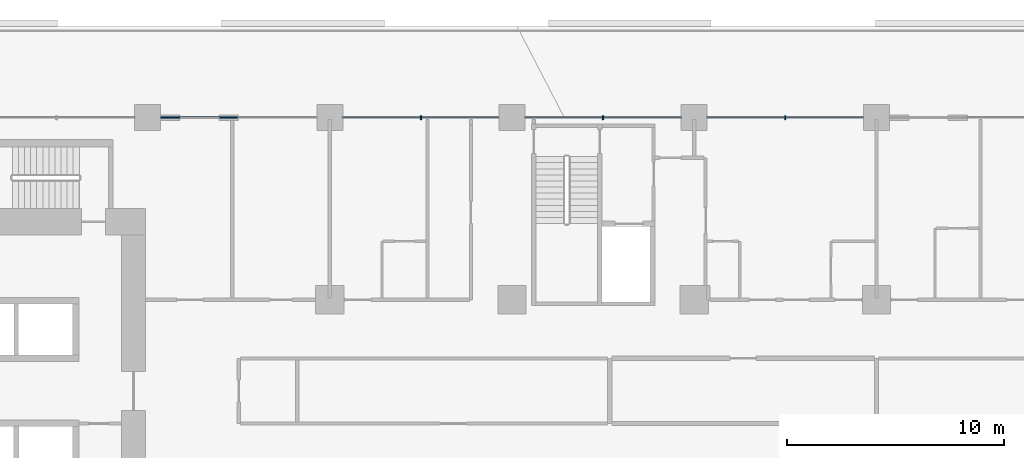
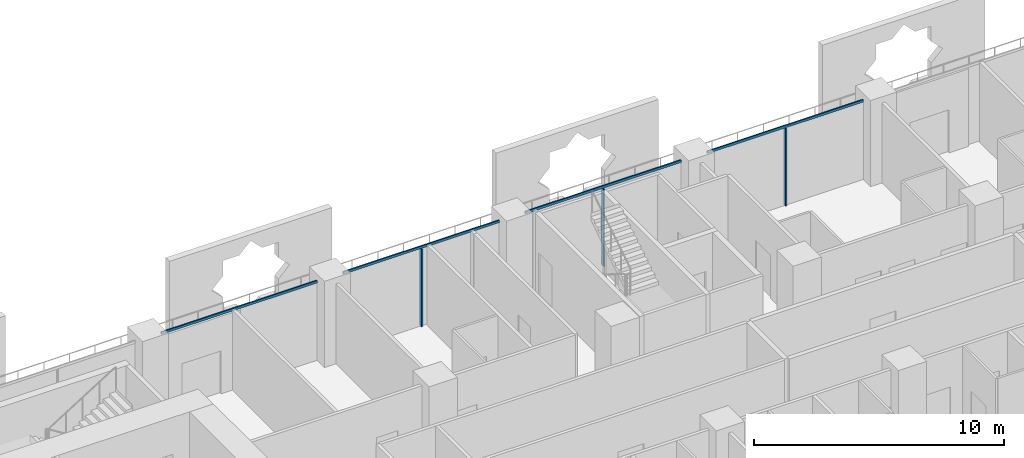
# One storey, part 9 of 26: 7 members, 1 element without a shape of its own.
"""IFC4 building model written with IfcOpenShell, lengths in metres."""

from ifc_helpers import new_model, si_unit, direction, frame, origin, origin_2d, place, context, subcontext, project, spatial, rectangle, extrude, material, layer, layer_set, material_profile, profile_set, type_object, element, aggregate, save


model = new_model("IFC4")

# Units and contexts
model_context = context("Model", 3, precision=1e-05, world=origin(), true_north=direction((0.0, 1.0)))
body_context = subcontext(model_context, "Body", "Model", "MODEL_VIEW")
ifc_project = project(units=[si_unit("LENGTHUNIT", "METRE"), si_unit("AREAUNIT", "SQUARE_METRE"), si_unit("VOLUMEUNIT", "CUBIC_METRE"), si_unit("PLANEANGLEUNIT", "RADIAN"), si_unit("MASSUNIT", "GRAM", prefix="KILO")], contexts=[model_context])

# Site, building, storey
site_placement = place(None, origin())
site = spatial("IfcSite", under=ifc_project, at=site_placement, CompositionType="ELEMENT")
building_placement = place(site_placement, origin())
building = spatial("IfcBuilding", under=site, at=building_placement, Name="Kawkab Arch Medical Tower", CompositionType="ELEMENT")
storey_placement = place(building_placement, frame((0.0, 0.0, 51.800048828125)))
storey = spatial("IfcBuildingStorey", under=building, at=storey_placement, Name="L11", CompositionType="ELEMENT", Elevation=51.800048828125)

# Curtain wall, members
ifc_material_1 = material(Name="Bronze anodised aluminium curtain wall frame", Category="aluminium")
ifc_layer = layer(ifc_material_1, 0.159912109375)
ifc_layer_set = layer_set([ifc_layer], Name="Bronze anodised aluminium curtain wall frame")
curtain_wall_type = type_object("IfcCurtainWallType", Name="CW1 ward curtain wall", PredefinedType="NOTDEFINED", material=ifc_layer_set)
curtain_wall_placement = place(storey_placement, origin())
curtain_wall = element("IfcCurtainWall", 1, at=curtain_wall_placement, inside=storey, type_object=curtain_wall_type, Name="CW1 Ward curtain wall R11", PredefinedType="NOTDEFINED")
ifc_material_2 = material(Name="Bronze anodised aluminium curtain wall frame", Category="aluminium")
ifc_material_profile_1 = material_profile(ifc_material_2, rectangle(XDim=0.179931640625, YDim=0.06005859375, at=origin_2d()), Name="AL 60x180")
ifc_profile_set_1 = profile_set([ifc_material_profile_1], Name="Bronze anodised aluminium curtain wall frame")
member_type_1 = type_object("IfcMemberType", Name="CW1 mullion 60 x 180", PredefinedType="MULLION", material=ifc_profile_set_1)
member_1_placement = place(storey_placement, frame((54.60009765625, 0.0, 0.0), z_axis=(0.0, 0.0, 1.0), x_axis=(0.0, -1.0, 0.0)))
member_1 = element("IfcMember", 2, at=member_1_placement, type_object=member_type_1, Name="CW1 mullion 3.1", PredefinedType="MULLION", context=body_context, shape_type="SweptSolid", body=[
    extrude(rectangle(XDim=0.179931640625, YDim=0.06005859375, at=origin_2d()), origin(), (0.0, 0.0, 1.0), 3.780029296875),
])
member_2_placement = place(storey_placement, frame((46.199951171875, 0.0, 0.0), z_axis=(0.0, 0.0, 1.0), x_axis=(0.0, -1.0, 0.0)))
member_2 = element("IfcMember", 3, at=member_2_placement, type_object=member_type_1, Name="CW1 mullion 4.1", PredefinedType="MULLION", context=body_context, shape_type="SweptSolid", body=[
    extrude(rectangle(XDim=0.179931640625, YDim=0.06005859375, at=origin_2d()), origin(), (0.0, 0.0, 1.0), 3.780029296875),
])
member_3_placement = place(storey_placement, frame((37.800048828125, 0.0, 0.0), z_axis=(0.0, 0.0, 1.0), x_axis=(0.0, -1.0, 0.0)))
member_3 = element("IfcMember", 4, at=member_3_placement, type_object=member_type_1, Name="CW1 mullion 5.1", PredefinedType="MULLION", context=body_context, shape_type="SweptSolid", body=[
    extrude(rectangle(XDim=0.179931640625, YDim=0.06005859375, at=origin_2d()), origin(), (0.0, 0.0, 1.0), 3.780029296875),
])
ifc_material_3 = material(Name="Bronze anodised aluminium curtain wall frame", Category="aluminium")
ifc_material_profile_2 = material_profile(ifc_material_3, rectangle(XDim=0.06005859375, YDim=0.1201171875, at=origin_2d()), Name="AL 60x120")
ifc_profile_set_2 = profile_set([ifc_material_profile_2], Name="Bronze anodised aluminium curtain wall frame")
member_type_2 = type_object("IfcMemberType", Name="CW1 transom 120 x 60", PredefinedType="USERDEFINED", material=ifc_profile_set_2)
member_4_placement = place(storey_placement, frame((58.199951171875, 0.0, 3.83984375), z_axis=(-1.0, 0.0, 0.0), x_axis=(0.0, -1.0, 0.0)))
member_4 = element("IfcMember", 5, at=member_4_placement, type_object=member_type_2, Name="CW1 transom 3", ObjectType="TRANSOM", PredefinedType="USERDEFINED", context=body_context, shape_type="SweptSolid", body=[
    extrude(rectangle(XDim=0.06005859375, YDim=0.1201171875, at=origin_2d()), origin(), (0.0, 0.0, 1.0), 7.199951171875),
])
member_5_placement = place(storey_placement, frame((49.800048828125, 0.0, 3.83984375), z_axis=(-1.0, 0.0, 0.0), x_axis=(0.0, -1.0, 0.0)))
member_5 = element("IfcMember", 6, at=member_5_placement, type_object=member_type_2, Name="CW1 transom 4", ObjectType="TRANSOM", PredefinedType="USERDEFINED", context=body_context, shape_type="SweptSolid", body=[
    extrude(rectangle(XDim=0.06005859375, YDim=0.1201171875, at=origin_2d()), origin(), (0.0, 0.0, 1.0), 7.199951171875),
])
member_6_placement = place(storey_placement, frame((41.39990234375, 0.0, 3.83984375), z_axis=(-1.0, 0.0, 0.0), x_axis=(0.0, -1.0, 0.0)))
member_6 = element("IfcMember", 7, at=member_6_placement, type_object=member_type_2, Name="CW1 transom 5", ObjectType="TRANSOM", PredefinedType="USERDEFINED", context=body_context, shape_type="SweptSolid", body=[
    extrude(rectangle(XDim=0.06005859375, YDim=0.1201171875, at=origin_2d()), origin(), (0.0, 0.0, 1.0), 7.199951171875),
])
member_7_placement = place(storey_placement, frame((33.0, 0.0, 3.83984375), z_axis=(-1.0, 0.0, 0.0), x_axis=(0.0, -1.0, 0.0)))
member_7 = element("IfcMember", 8, at=member_7_placement, type_object=member_type_2, Name="CW1 transom 6", ObjectType="TRANSOM", PredefinedType="USERDEFINED", context=body_context, shape_type="SweptSolid", body=[
    extrude(rectangle(XDim=0.06005859375, YDim=0.1201171875, at=origin_2d()), origin(), (0.0, 0.0, 1.0), 7.199951171875),
])
aggregate(curtain_wall, [member_4, member_1, member_5, member_2, member_6, member_3, member_7])

save(model, "model.ifc")
